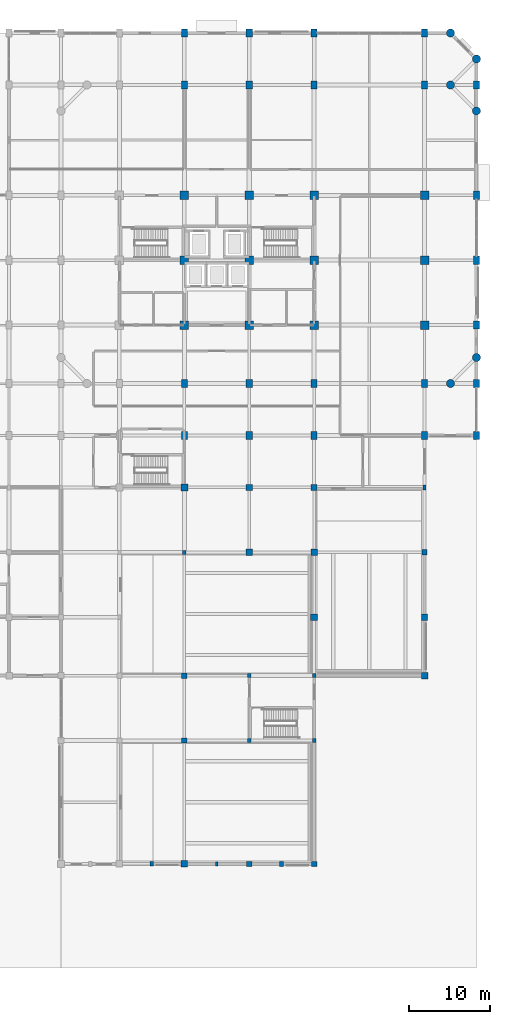
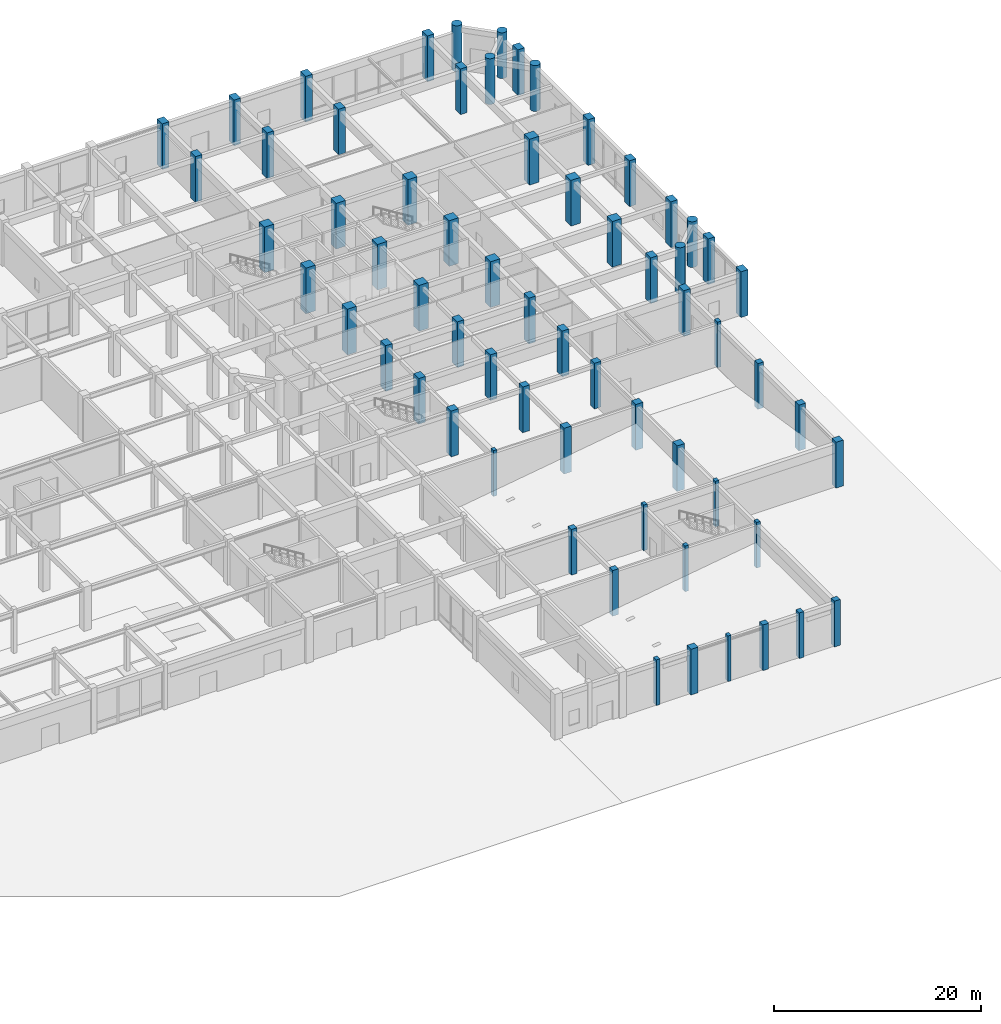
# One storey, part 3 of 40: 63 columns.
"""IFC4 building model written with IfcOpenShell, lengths in metres."""

import ifcopenshell
import ifcopenshell.guid

model = None  # the IFC model being written
_history = None  # IfcOwnerHistory: only IFC2X3 demands one
_inside = {}  # id of a spatial element -> (the spatial element, [elements in it])
_under = {}  # id of a project, library or spatial element -> (it, [spatial elements below it])
_declared = {}  # id of a project -> (the project, [libraries it declares])
_typed = {}  # id of a type object -> (the type object, [elements of that type])
_made_of = {}  # id of a material, layer set ... -> (it, [elements and type objects made of it])


def new_model(schema):
    """Start an empty IFC model of exactly this schema.

    Asked for "IFC4X3", IfcOpenShell would pick the latest addendum, in which some entities
    have other attributes; the version numbers below select the first issue.
    IFC2X3 requires an IfcOwnerHistory on every rooted entity: one is made here for all.
    """
    global model, _history
    if schema == "IFC4X3":
        model = ifcopenshell.file(schema_version=(4, 3, 0, 0))
    else:
        model = ifcopenshell.file(schema=schema)
    _inside.clear()
    _under.clear()
    _declared.clear()
    _typed.clear()
    _made_of.clear()
    _history = None
    if model.schema == "IFC2X3":
        org = make("IfcOrganization", Name="unknown")
        user = make(
            "IfcPersonAndOrganization",
            ThePerson=make("IfcPerson", FamilyName="unknown"),
            TheOrganization=org,
        )
        app = make(
            "IfcApplication",
            ApplicationDeveloper=org,
            Version="unknown",
            ApplicationFullName="unknown",
            ApplicationIdentifier="unknown",
        )
        _history = make(
            "IfcOwnerHistory",
            OwningUser=user,
            OwningApplication=app,
            ChangeAction="ADDED",
            CreationDate=0,
        )
    return model


def make(cls, **values):
    """One entity of the class cls with the attributes given. An attribute that is None is left unset."""
    return model.create_entity(
        cls, **{name: value for name, value in values.items() if value is not None}
    )


def rooted(cls, **values):
    """An entity with a GlobalId (a new one), such as an element, a storey or a relation."""
    return make(cls, GlobalId=ifcopenshell.guid.new(), OwnerHistory=_history, **values)


def si_unit(unit_type, name, prefix=None):
    """IfcSIUnit, for example si_unit("LENGTHUNIT", "METRE", prefix="MILLI")."""
    return make("IfcSIUnit", UnitType=unit_type, Prefix=prefix, Name=name)


def assignment(units):
    """IfcUnitAssignment: the units of a project."""
    return None if units is None else make("IfcUnitAssignment", Units=units)


def point(xyz):
    """IfcCartesianPoint."""
    return None if xyz is None else make("IfcCartesianPoint", Coordinates=xyz)


def direction(xyz):
    """IfcDirection."""
    return None if xyz is None else make("IfcDirection", DirectionRatios=xyz)


def frame(location, z_axis=None, x_axis=None):
    """IfcAxis2Placement3D, a coordinate frame: its origin and axes. An axis left out is left unset."""
    return make(
        "IfcAxis2Placement3D",
        Location=point(location),
        Axis=direction(z_axis),
        RefDirection=direction(x_axis),
    )


def frame_2d(location, x_axis=None):
    """IfcAxis2Placement2D, a coordinate frame in the plane: its origin and x axis."""
    return make(
        "IfcAxis2Placement2D", Location=point(location), RefDirection=direction(x_axis)
    )


def origin():
    """The frame at (0, 0, 0) with its axes left unset."""
    return frame((0.0, 0.0, 0.0))


def origin_2d():
    """The frame at (0, 0) in the plane with its x axis left unset."""
    return frame_2d((0.0, 0.0))


def place(relative_to, where):
    """IfcLocalPlacement: puts the frame where relative to a parent placement (None: the world)."""
    return make(
        "IfcLocalPlacement", PlacementRelTo=relative_to, RelativePlacement=where
    )


def context(
    kind, dimensions, precision=None, world=None, true_north=None, identifier=None
):
    """IfcGeometricRepresentationContext, for example the 3D "Model" context."""
    return make(
        "IfcGeometricRepresentationContext",
        ContextIdentifier=identifier,
        ContextType=kind,
        CoordinateSpaceDimension=dimensions,
        Precision=precision,
        WorldCoordinateSystem=world,
        TrueNorth=true_north,
    )


def subcontext(parent, identifier, kind, view, scale=None):
    """IfcGeometricRepresentationSubContext, for example "Body" below "Model"."""
    return make(
        "IfcGeometricRepresentationSubContext",
        ContextIdentifier=identifier,
        ContextType=kind,
        ParentContext=parent,
        TargetScale=scale,
        TargetView=view,
    )


def project(units=None, contexts=None):
    """IfcProject with its units and contexts."""
    return rooted(
        "IfcProject",
        Name="project",
        RepresentationContexts=contexts,
        UnitsInContext=assignment(units),
    )


def spatial(cls, under=None, at=None, **own):
    """A site, building, storey or space (cls), placed at a placement, below another one or the project."""
    s = rooted(cls, ObjectPlacement=at, **own)
    if under is not None:
        _under.setdefault(under.id(), (under, []))[1].append(s)
    return s


def profile(cls, at=None, kind="AREA", **sizes):
    """A parametric profile (cls). Its sizes go by their IFC names, for example OverallWidth=200.0."""
    return make(cls, ProfileType=kind, Position=at, **sizes)


def rectangle(**sizes):
    """IfcRectangleProfileDef."""
    return profile("IfcRectangleProfileDef", **sizes)


def circle(**sizes):
    """IfcCircleProfileDef."""
    return profile("IfcCircleProfileDef", **sizes)


def extrude(swept, where, along, depth):
    """IfcExtrudedAreaSolid: the profile swept, set in the frame where, extruded along a direction by depth."""
    return make(
        "IfcExtrudedAreaSolid",
        SweptArea=swept,
        Position=where,
        ExtrudedDirection=direction(along),
        Depth=depth,
    )


def shape(context_of_items, identifier, shape_type, items):
    """IfcShapeRepresentation: the items that make up one representation, for example the "Body"."""
    return make(
        "IfcShapeRepresentation",
        ContextOfItems=context_of_items,
        RepresentationIdentifier=identifier,
        RepresentationType=shape_type,
        Items=items,
    )


def material(Name=None, Category=None):
    """IfcMaterial."""
    return make("IfcMaterial", Name=Name, Category=Category)


def material_profile(
    of_material, cross_section, Name=None, Category=None, Priority=None
):
    """IfcMaterialProfile: a cross section and its material."""
    return make(
        "IfcMaterialProfile",
        Name=Name,
        Material=of_material,
        Profile=cross_section,
        Priority=Priority,
        Category=Category,
    )


def profile_set(profiles, Name=None, composite=None):
    """IfcMaterialProfileSet."""
    return make(
        "IfcMaterialProfileSet",
        Name=Name,
        MaterialProfiles=profiles,
        CompositeProfile=composite,
    )


def made_of(thing, what):
    """Note that an element or type object is made of a material, layer set ...; save() writes the relation."""
    if what is not None:
        _made_of.setdefault(what.id(), (what, []))[1].append(thing)
    return thing


def type_object(cls, material=None, **own):
    """A type object (cls), such as IfcWallType, which elements share."""
    return made_of(rooted(cls, **own), material)


def element(
    cls,
    number,
    at=None,
    inside=None,
    cuts=None,
    type_object=None,
    material=None,
    context=None,
    identifier="Body",
    shape_type=None,
    held_by="IfcProductDefinitionShape",
    body=None,
    shapes=None,
    **own,
):
    """One element of the class cls, such as IfcWall. Its Tag is "e" and its number.

    at: its placement. inside: the storey or other place that contains it. cuts: it is an
    opening in that element (IfcRelVoidsElement). A single representation is given by context,
    identifier, shape_type and body (its items); several are given by shapes. held_by: the class
    of the entity that holds the representations. save() writes the other relations.
    """
    e = rooted(cls, Tag="e%d" % number, ObjectPlacement=at, **own)
    if body is not None:
        shapes = [shape(context, identifier, shape_type, body)]
    if shapes is not None:
        e.Representation = make(held_by, Representations=shapes)
    if inside is not None:
        _inside.setdefault(inside.id(), (inside, []))[1].append(e)
    if cuts is not None:
        rooted(
            "IfcRelVoidsElement", RelatingBuildingElement=cuts, RelatedOpeningElement=e
        )
    if type_object is not None:
        _typed.setdefault(type_object.id(), (type_object, []))[1].append(e)
    return made_of(e, material)


def aggregate(whole, parts):
    """IfcRelAggregates: a whole, such as a stair, and the parts it consists of."""
    return rooted("IfcRelAggregates", RelatingObject=whole, RelatedObjects=parts)


def save(model, path):
    """Write the relations noted so far, then the file.

    IfcRelAggregates (storeys below a building ...), IfcRelContainedInSpatialStructure (elements
    in a storey), IfcRelDefinesByType, IfcRelAssociatesMaterial and IfcRelDeclares: one each for
    every whole, place, type object, material and project.
    """
    for whole, parts in _under.values():
        aggregate(whole, parts)
    for where, things in _inside.values():
        rooted(
            "IfcRelContainedInSpatialStructure",
            RelatedElements=things,
            RelatingStructure=where,
        )
    for kind, things in _typed.values():
        rooted("IfcRelDefinesByType", RelatedObjects=things, RelatingType=kind)
    for what, things in _made_of.values():
        rooted("IfcRelAssociatesMaterial", RelatedObjects=things, RelatingMaterial=what)
    for by, libraries in _declared.values():
        rooted("IfcRelDeclares", RelatingContext=by, RelatedDefinitions=libraries)
    model.write(path)


model = new_model("IFC4")

# Units and contexts
model_context = context("Model", 3, precision=1e-05, world=origin(), true_north=direction((0.0, 1.0)))
body_context = subcontext(model_context, "Body", "Model", "MODEL_VIEW")
ifc_project = project(units=[si_unit("LENGTHUNIT", "METRE"), si_unit("AREAUNIT", "SQUARE_METRE"), si_unit("VOLUMEUNIT", "CUBIC_METRE"), si_unit("PLANEANGLEUNIT", "RADIAN"), si_unit("MASSUNIT", "GRAM", prefix="KILO")], contexts=[model_context])

# Site, building, storey
site_placement = place(None, origin())
site = spatial("IfcSite", under=ifc_project, at=site_placement, CompositionType="ELEMENT")
building_placement = place(site_placement, origin())
building = spatial("IfcBuilding", under=site, at=building_placement, Name="Vellmiral Cinema and Media Centre", CompositionType="ELEMENT")
storey_placement = place(building_placement, origin())
storey = spatial("IfcBuildingStorey", under=building, at=storey_placement, Name="L00", CompositionType="ELEMENT", Elevation=0.0)

# Columns
ifc_material_1 = material(Name="Concrete C40/50", Category="concrete")
ifc_material_profile_1 = material_profile(ifc_material_1, rectangle(XDim=1.050048828125, YDim=1.050048828125, at=origin_2d()), Name="RC 1050x1050")
ifc_profile_set_1 = profile_set([ifc_material_profile_1], Name="Concrete C40/50")
column_type_1 = type_object("IfcColumnType", Name="COL-RC-1050x1050", PredefinedType="COLUMN", material=ifc_profile_set_1)
for number, where, z_axis, x_axis, name in (
    (1, (132.0, 79.199951171875, 0.0), (0.0, 0.0, 1.0), (1.0, 0.0, 0.0), "Column L00-172"),
    (2, (132.0, 87.199951171875, 0.0), (0.0, 0.0, 1.0), (1.0, 0.0, 0.0), "Column L00-173"),
    (3, (132.0, 95.199951171875, 0.0), (0.0, 0.0, 1.0), (1.0, 0.0, 0.0), "Column L00-174"),
    (4, (140.0, 79.199951171875, 0.0), (0.0, 0.0, 1.0), (1.0, 0.0, 0.0), "Column L00-184"),
    (5, (140.0, 87.199951171875, 0.0), (0.0, 0.0, 1.0), (1.0, 0.0, 0.0), "Column L00-185"),
    (6, (140.0, 95.199951171875, 0.0), (0.0, 0.0, 1.0), (1.0, 0.0, 0.0), "Column L00-186"),
    (7, (148.0, 79.199951171875, 0.0), (0.0, 0.0, 1.0), (1.0, 0.0, 0.0), "Column L00-197"),
    (8, (148.0, 87.199951171875, 0.0), (0.0, 0.0, 1.0), (1.0, 0.0, 0.0), "Column L00-198"),
    (9, (148.0, 95.199951171875, 0.0), (0.0, 0.0, 1.0), (1.0, 0.0, 0.0), "Column L00-199"),
    (10, (161.60009765625, 79.199951171875, 0.0), (0.0, 0.0, 1.0), (1.0, 0.0, 0.0), "Column L00-208"),
    (11, (161.60009765625, 87.199951171875, 0.0), (0.0, 0.0, 1.0), (1.0, 0.0, 0.0), "Column L00-209"),
    (12, (161.60009765625, 95.199951171875, 0.0), (0.0, 0.0, 1.0), (1.0, 0.0, 0.0), "Column L00-210"),
):
    element("IfcColumn", number, at=place(storey_placement, frame(where, z_axis=z_axis, x_axis=x_axis)), inside=storey, type_object=column_type_1, Name=name, PredefinedType="COLUMN", context=body_context, shape_type="SweptSolid", body=[
        extrude(rectangle(XDim=1.050048828125, YDim=1.050048828125, at=origin_2d()), origin(), (0.0, 0.0, 1.0), 5.39990234375),
    ])
ifc_material_2 = material(Name="Concrete C40/50", Category="concrete")
ifc_material_profile_2 = material_profile(ifc_material_2, rectangle(XDim=0.39990234375, YDim=0.5, at=origin_2d()), Name="RC 400x500")
ifc_profile_set_2 = profile_set([ifc_material_profile_2], Name="Concrete C40/50")
column_type_2 = type_object("IfcColumnType", Name="COL-RC-400x500", PredefinedType="COLUMN", material=ifc_profile_set_2)
for number, where, z_axis, x_axis, name in (
    (13, (132.0, 51.199951171875, 0.0), (0.0, 0.0, 1.0), (1.0, 0.0, 0.0), "Column L00-168"),
    (14, (140.0, 28.0, 0.0), (0.0, 0.0, 1.0), (1.0, 0.0, 0.0), "Column L00-178"),
    (15, (140.0, 36.0, 0.0), (0.0, 0.0, 1.0), (1.0, 0.0, 0.0), "Column L00-179"),
    (16, (148.0, 28.0, 0.0), (0.0, 0.0, 1.0), (1.0, 0.0, 0.0), "Column L00-190"),
    (17, (148.0, 36.0, 0.0), (0.0, 0.0, 1.0), (1.0, 0.0, 0.0), "Column L00-191"),
):
    element("IfcColumn", number, at=place(storey_placement, frame(where, z_axis=z_axis, x_axis=x_axis)), inside=storey, type_object=column_type_2, Name=name, PredefinedType="COLUMN", context=body_context, shape_type="SweptSolid", body=[
        extrude(rectangle(XDim=0.39990234375, YDim=0.5, at=origin_2d()), origin(), (0.0, 0.0, 1.0), 5.39990234375),
    ])
ifc_material_3 = material(Name="Concrete C40/50", Category="concrete")
ifc_material_profile_3 = material_profile(ifc_material_3, rectangle(XDim=0.39990234375, YDim=0.60009765625, at=origin_2d()), Name="RC 400x600")
ifc_profile_set_3 = profile_set([ifc_material_profile_3], Name="Concrete C40/50")
column_type_3 = type_object("IfcColumnType", Name="COL-RC-400x600", PredefinedType="COLUMN", material=ifc_profile_set_3)
column_1_placement = place(storey_placement, frame((161.60009765625, 59.199951171875, 0.0), z_axis=(0.0, 0.0, 1.0), x_axis=(1.0, 0.0, 0.0)))
element("IfcColumn", 18, at=column_1_placement, inside=storey, type_object=column_type_3, Name="Column L00-205", PredefinedType="COLUMN", context=body_context, shape_type="SweptSolid", body=[
    extrude(rectangle(XDim=0.39990234375, YDim=0.60009765625, at=origin_2d()), origin(), (0.0, 0.0, 1.0), 5.39990234375),
])
ifc_material_4 = material(Name="Concrete C40/50", Category="concrete")
ifc_material_profile_4 = material_profile(ifc_material_4, rectangle(XDim=0.64990234375, YDim=0.64990234375, at=origin_2d()), Name="RC 650x650")
ifc_profile_set_4 = profile_set([ifc_material_profile_4], Name="Concrete C40/50")
column_type_4 = type_object("IfcColumnType", Name="COL-RC-650x650", PredefinedType="COLUMN", material=ifc_profile_set_4)
for number, where, z_axis, x_axis, name in (
    (19, (132.0, 28.0, 0.0), (0.0, 0.0, 1.0), (1.0, 0.0, 0.0), "Column L00-166"),
    (20, (132.0, 36.0, 0.0), (0.0, 0.0, 1.0), (1.0, 0.0, 0.0), "Column L00-167"),
    (21, (140.0, 12.800048828125, 0.0), (0.0, 0.0, 1.0), (1.0, 0.0, 0.0), "Column L00-177"),
    (22, (148.0, 12.800048828125, 0.0), (0.0, 0.0, 1.0), (1.0, 0.0, 0.0), "Column L00-189"),
    (23, (161.60009765625, 51.199951171875, 0.0), (0.0, 0.0, 1.0), (1.0, 0.0, 0.0), "Column L00-204"),
):
    element("IfcColumn", number, at=place(storey_placement, frame(where, z_axis=z_axis, x_axis=x_axis)), inside=storey, type_object=column_type_4, Name=name, PredefinedType="COLUMN", context=body_context, shape_type="SweptSolid", body=[
        extrude(rectangle(XDim=0.64990234375, YDim=0.64990234375, at=origin_2d()), origin(), (0.0, 0.0, 1.0), 5.39990234375),
    ])
ifc_material_5 = material(Name="Concrete C40/50", Category="concrete")
ifc_material_profile_5 = material_profile(ifc_material_5, rectangle(XDim=0.75, YDim=1.0, at=origin_2d()), Name="RC 750x1000")
ifc_profile_set_5 = profile_set([ifc_material_profile_5], Name="Concrete C40/50")
column_type_5 = type_object("IfcColumnType", Name="COL-RC-750x1000", PredefinedType="COLUMN", material=ifc_profile_set_5)
for number, where, z_axis, x_axis, name in (
    (24, (132.0, 65.60009765625, 0.0), (0.0, 0.0, 1.0), (1.0, 0.0, 0.0), "Column L00-170"),
    (25, (132.0, 72.0, 0.0), (0.0, 0.0, 1.0), (1.0, 0.0, 0.0), "Column L00-171"),
    (26, (132.0, 108.800048828125, 0.0), (0.0, 0.0, 1.0), (1.0, 0.0, 0.0), "Column L00-175"),
    (27, (132.0, 115.199951171875, 0.0), (0.0, 0.0, 1.0), (1.0, 0.0, 0.0), "Column L00-176"),
    (28, (140.0, 65.60009765625, 0.0), (0.0, 0.0, 1.0), (1.0, 0.0, 0.0), "Column L00-182"),
    (29, (140.0, 72.0, 0.0), (0.0, 0.0, 1.0), (1.0, 0.0, 0.0), "Column L00-183"),
    (30, (140.0, 108.800048828125, 0.0), (0.0, 0.0, 1.0), (1.0, 0.0, 0.0), "Column L00-187"),
    (31, (140.0, 115.199951171875, 0.0), (0.0, 0.0, 1.0), (1.0, 0.0, 0.0), "Column L00-188"),
    (32, (148.0, 65.60009765625, 0.0), (0.0, 0.0, 1.0), (1.0, 0.0, 0.0), "Column L00-195"),
    (33, (148.0, 72.0, 0.0), (0.0, 0.0, 1.0), (1.0, 0.0, 0.0), "Column L00-196"),
    (34, (148.0, 108.800048828125, 0.0), (0.0, 0.0, 1.0), (1.0, 0.0, 0.0), "Column L00-200"),
    (35, (148.0, 115.199951171875, 0.0), (0.0, 0.0, 1.0), (1.0, 0.0, 0.0), "Column L00-201"),
    (36, (161.60009765625, 65.60009765625, 0.0), (0.0, 0.0, 1.0), (1.0, 0.0, 0.0), "Column L00-206"),
    (37, (161.60009765625, 72.0, 0.0), (0.0, 0.0, 1.0), (1.0, 0.0, 0.0), "Column L00-207"),
    (38, (161.60009765625, 108.800048828125, 0.0), (0.0, 0.0, 1.0), (1.0, 0.0, 0.0), "Column L00-211"),
    (39, (161.60009765625, 115.199951171875, 0.0), (0.0, 0.0, 1.0), (1.0, 0.0, 0.0), "Column L00-212"),
    (40, (168.0, 65.60009765625, 0.0), (0.0, 0.0, 1.0), (1.0, 0.0, 0.0), "Column L00-216"),
    (41, (168.0, 72.0, 0.0), (0.0, 0.0, 1.0), (1.0, 0.0, 0.0), "Column L00-217"),
    (42, (168.0, 79.199951171875, 0.0), (0.0, 0.0, 1.0), (1.0, 0.0, 0.0), "Column L00-219"),
    (43, (168.0, 87.199951171875, 0.0), (0.0, 0.0, 1.0), (1.0, 0.0, 0.0), "Column L00-220"),
    (44, (168.0, 95.199951171875, 0.0), (0.0, 0.0, 1.0), (1.0, 0.0, 0.0), "Column L00-221"),
    (45, (168.0, 108.800048828125, 0.0), (0.0, 0.0, 1.0), (1.0, 0.0, 0.0), "Column L00-223"),
):
    element("IfcColumn", number, at=place(storey_placement, frame(where, z_axis=z_axis, x_axis=x_axis)), inside=storey, type_object=column_type_5, Name=name, PredefinedType="COLUMN", context=body_context, shape_type="SweptSolid", body=[
        extrude(rectangle(XDim=0.75, YDim=1.0, at=origin_2d()), origin(), (0.0, 0.0, 1.0), 5.39990234375),
    ])
ifc_material_6 = material(Name="Concrete C40/50", Category="concrete")
ifc_material_profile_6 = material_profile(ifc_material_6, rectangle(XDim=0.75, YDim=0.75, at=origin_2d()), Name="RC 750x750")
ifc_profile_set_6 = profile_set([ifc_material_profile_6], Name="Concrete C40/50")
column_type_6 = type_object("IfcColumnType", Name="COL-RC-750x750", PredefinedType="COLUMN", material=ifc_profile_set_6)
for number, where, z_axis, x_axis, name in (
    (46, (140.0, 59.199951171875, 0.0), (0.0, 0.0, 1.0), (1.0, 0.0, 0.0), "Column L00-181"),
    (47, (148.0, 59.199951171875, 0.0), (0.0, 0.0, 1.0), (1.0, 0.0, 0.0), "Column L00-194"),
    (48, (161.60009765625, 43.199951171875, 0.0), (0.0, 0.0, 1.0), (1.0, 0.0, 0.0), "Column L00-203"),
):
    element("IfcColumn", number, at=place(storey_placement, frame(where, z_axis=z_axis, x_axis=x_axis)), inside=storey, type_object=column_type_6, Name=name, PredefinedType="COLUMN", context=body_context, shape_type="SweptSolid", body=[
        extrude(rectangle(XDim=0.75, YDim=0.75, at=origin_2d()), origin(), (0.0, 0.0, 1.0), 5.39990234375),
    ])
ifc_material_7 = material(Name="Concrete C40/50", Category="concrete")
ifc_material_profile_7 = material_profile(ifc_material_7, rectangle(XDim=0.800048828125, YDim=0.800048828125, at=origin_2d()), Name="RC 800x800")
ifc_profile_set_7 = profile_set([ifc_material_profile_7], Name="Concrete C40/50")
column_type_7 = type_object("IfcColumnType", Name="COL-RC-800x800", PredefinedType="COLUMN", material=ifc_profile_set_7)
for number, where, z_axis, x_axis, name in (
    (49, (132.0, 12.800048828125, 0.0), (0.0, 0.0, 1.0), (1.0, 0.0, 0.0), "Column L00-165"),
    (50, (140.0, 51.199951171875, 0.0), (0.0, 0.0, 1.0), (1.0, 0.0, 0.0), "Column L00-180"),
    (51, (148.0, 51.199951171875, 0.0), (0.0, 0.0, 1.0), (1.0, 0.0, 0.0), "Column L00-193"),
    (52, (161.60009765625, 36.0, 0.0), (0.0, 0.0, 1.0), (1.0, 0.0, 0.0), "Column L00-202"),
):
    element("IfcColumn", number, at=place(storey_placement, frame(where, z_axis=z_axis, x_axis=x_axis)), inside=storey, type_object=column_type_7, Name=name, PredefinedType="COLUMN", context=body_context, shape_type="SweptSolid", body=[
        extrude(rectangle(XDim=0.800048828125, YDim=0.800048828125, at=origin_2d()), origin(), (0.0, 0.0, 1.0), 5.39990234375),
    ])
ifc_material_8 = material(Name="Concrete C40/50", Category="concrete")
ifc_material_profile_8 = material_profile(ifc_material_8, rectangle(XDim=0.85009765625, YDim=0.85009765625, at=origin_2d()), Name="RC 850x850")
ifc_profile_set_8 = profile_set([ifc_material_profile_8], Name="Concrete C40/50")
column_type_8 = type_object("IfcColumnType", Name="COL-RC-850x850", PredefinedType="COLUMN", material=ifc_profile_set_8)
for number, where, z_axis, x_axis, name in (
    (53, (132.0, 59.199951171875, 0.0), (0.0, 0.0, 1.0), (1.0, 0.0, 0.0), "Column L00-169"),
    (54, (148.0, 43.199951171875, 0.0), (0.0, 0.0, 1.0), (1.0, 0.0, 0.0), "Column L00-192"),
):
    element("IfcColumn", number, at=place(storey_placement, frame(where, z_axis=z_axis, x_axis=x_axis)), inside=storey, type_object=column_type_8, Name=name, PredefinedType="COLUMN", context=body_context, shape_type="SweptSolid", body=[
        extrude(rectangle(XDim=0.85009765625, YDim=0.85009765625, at=origin_2d()), origin(), (0.0, 0.0, 1.0), 5.39990234375),
    ])
ifc_material_9 = material(Name="Concrete C40/50", Category="concrete")
ifc_material_profile_9 = material_profile(ifc_material_9, circle(Radius=0.5, at=origin_2d()), Name="RC D1000")
ifc_profile_set_9 = profile_set([ifc_material_profile_9], Name="Concrete C40/50")
column_type_9 = type_object("IfcColumnType", Name="COL-RCC-D1000", PredefinedType="COLUMN", material=ifc_profile_set_9)
for number, where, z_axis, x_axis, name in (
    (55, (164.800048828125, 72.0, 0.0), (0.0, 0.0, 1.0), (1.0, 0.0, 0.0), "Column L00-213"),
    (56, (164.800048828125, 108.800048828125, 0.0), (0.0, 0.0, 1.0), (1.0, 0.0, 0.0), "Column L00-214"),
    (57, (164.800048828125, 115.199951171875, 0.0), (0.0, 0.0, 1.0), (1.0, 0.0, 0.0), "Column L00-215"),
    (58, (168.0, 75.199951171875, 0.0), (0.0, 0.0, 1.0), (1.0, 0.0, 0.0), "Column L00-218"),
    (59, (168.0, 105.60009765625, 0.0), (0.0, 0.0, 1.0), (1.0, 0.0, 0.0), "Column L00-222"),
    (60, (168.0, 112.0, 0.0), (0.0, 0.0, 1.0), (1.0, 0.0, 0.0), "Column L00-224"),
):
    element("IfcColumn", number, at=place(storey_placement, frame(where, z_axis=z_axis, x_axis=x_axis)), inside=storey, type_object=column_type_9, Name=name, PredefinedType="COLUMN", context=body_context, shape_type="SweptSolid", body=[
        extrude(circle(Radius=0.5, at=origin_2d()), origin(), (0.0, 0.0, 1.0), 5.39990234375),
    ])
ifc_material_10 = material(Name="Vosges Red Sandstone Masonry", Category="masonry")
ifc_material_profile_10 = material_profile(ifc_material_10, rectangle(XDim=0.35009765625, YDim=0.5, at=origin_2d()), Name="SAND 350x500")
ifc_profile_set_10 = profile_set([ifc_material_profile_10], Name="Vosges Red Sandstone Masonry")
column_type_10 = type_object("IfcColumnType", Name="PIL-SAND-350x500", PredefinedType="PILASTER", material=ifc_profile_set_10)
column_2_placement = place(storey_placement, frame((136.0, 12.800048828125, 0.0), z_axis=(0.0, 0.0, 1.0), x_axis=(1.0, 0.0, 0.0)))
element("IfcColumn", 61, at=column_2_placement, inside=storey, type_object=column_type_10, Name="Sandstone Arcade Pilaster L00-06", PredefinedType="PILASTER", context=body_context, shape_type="SweptSolid", body=[
    extrude(rectangle(XDim=0.35009765625, YDim=0.5, at=origin_2d()), origin(), (0.0, 0.0, 1.0), 5.39990234375),
])
ifc_material_11 = material(Name="Vosges Red Sandstone Masonry", Category="masonry")
ifc_material_profile_11 = material_profile(ifc_material_11, rectangle(XDim=0.39990234375, YDim=0.550048828125, at=origin_2d()), Name="SAND 400x550")
ifc_profile_set_11 = profile_set([ifc_material_profile_11], Name="Vosges Red Sandstone Masonry")
column_type_11 = type_object("IfcColumnType", Name="PIL-SAND-400x550", PredefinedType="PILASTER", material=ifc_profile_set_11)
column_3_placement = place(storey_placement, frame((128.0, 12.800048828125, 0.0), z_axis=(0.0, 0.0, 1.0), x_axis=(1.0, 0.0, 0.0)))
element("IfcColumn", 62, at=column_3_placement, inside=storey, type_object=column_type_11, Name="Sandstone Arcade Pilaster L00-05", PredefinedType="PILASTER", context=body_context, shape_type="SweptSolid", body=[
    extrude(rectangle(XDim=0.39990234375, YDim=0.550048828125, at=origin_2d()), origin(), (0.0, 0.0, 1.0), 5.39990234375),
])
ifc_material_12 = material(Name="Vosges Red Sandstone Masonry", Category="masonry")
ifc_material_profile_12 = material_profile(ifc_material_12, rectangle(XDim=0.5, YDim=0.64990234375, at=origin_2d()), Name="SAND 500x650")
ifc_profile_set_12 = profile_set([ifc_material_profile_12], Name="Vosges Red Sandstone Masonry")
column_type_12 = type_object("IfcColumnType", Name="PIL-SAND-500x650", PredefinedType="PILASTER", material=ifc_profile_set_12)
column_4_placement = place(storey_placement, frame((144.0, 12.800048828125, 0.0), z_axis=(0.0, 0.0, 1.0), x_axis=(1.0, 0.0, 0.0)))
element("IfcColumn", 63, at=column_4_placement, inside=storey, type_object=column_type_12, Name="Sandstone Arcade Pilaster L00-07", PredefinedType="PILASTER", context=body_context, shape_type="SweptSolid", body=[
    extrude(rectangle(XDim=0.5, YDim=0.64990234375, at=origin_2d()), origin(), (0.0, 0.0, 1.0), 5.39990234375),
])

save(model, "model.ifc")
